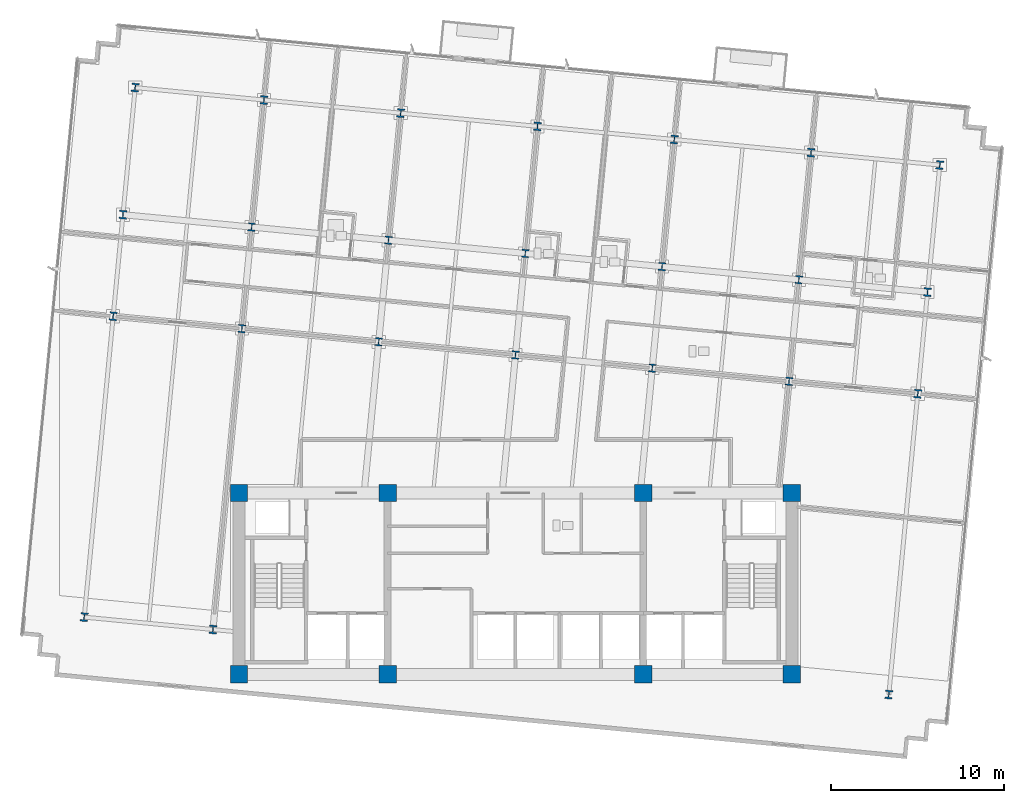
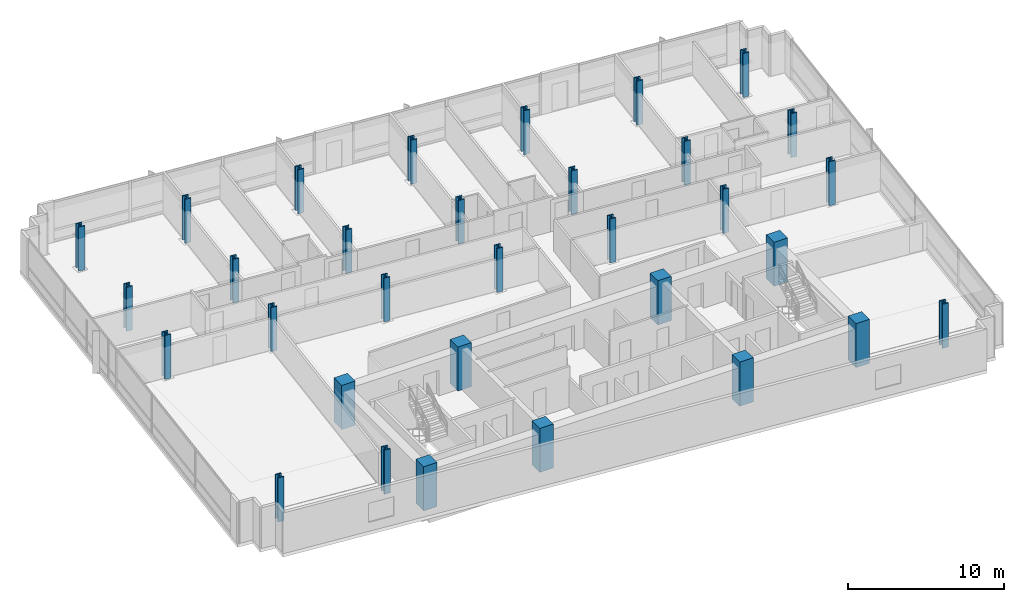
# One storey, part 1 of 17: 32 columns.
"""IFC4 building model written with IfcOpenShell, lengths in metres."""

from ifc_helpers import new_model, si_unit, direction, frame, origin, origin_2d, place, context, subcontext, project, spatial, rectangle, i_section, extrude, material, material_profile, profile_set, type_object, element, save


model = new_model("IFC4")

# Units and contexts
model_context = context("Model", 3, precision=1e-05, world=origin(), true_north=direction((0.0, 1.0)))
body_context = subcontext(model_context, "Body", "Model", "MODEL_VIEW")
ifc_project = project(units=[si_unit("LENGTHUNIT", "METRE"), si_unit("AREAUNIT", "SQUARE_METRE"), si_unit("VOLUMEUNIT", "CUBIC_METRE"), si_unit("PLANEANGLEUNIT", "RADIAN"), si_unit("MASSUNIT", "GRAM", prefix="KILO")], contexts=[model_context])

# Site, building, storey
site_placement = place(None, origin())
site = spatial("IfcSite", under=ifc_project, at=site_placement, CompositionType="ELEMENT")
building_placement = place(site_placement, origin())
building = spatial("IfcBuilding", under=site, at=building_placement, Name="Solmavex Isthmus Hotel", CompositionType="ELEMENT")
storey_placement = place(building_placement, frame((0.0, 0.0, 173.85009765625)))
storey = spatial("IfcBuildingStorey", under=building, at=storey_placement, Name="L47", CompositionType="ELEMENT", Elevation=173.85009765625)

# Columns
ifc_material_1 = material(Name="Concrete C60/75", Category="concrete")
ifc_material_profile_1 = material_profile(ifc_material_1, rectangle(XDim=1.0, YDim=1.0, at=origin_2d()), Name="RC1000X1000")
ifc_profile_set_1 = profile_set([ifc_material_profile_1], Name="Concrete C60/75")
column_type_1 = type_object("IfcColumnType", Name="COL-CC-1000", PredefinedType="COLUMN", material=ifc_profile_set_1)
for number, where, z_axis, x_axis, name in (
    (1, (-16.0, -13.0, 0.0), (0.0, 0.0, 1.0), (1.0, 0.0, 0.0), "Core Pilaster CC-SW L47"),
    (2, (-7.39990234375, -13.0, 0.0), (0.0, 0.0, 1.0), (1.0, 0.0, 0.0), "Core Pilaster CC-S1 L47"),
    (3, (7.39990234375, -13.0, 0.0), (0.0, 0.0, 1.0), (1.0, 0.0, 0.0), "Core Pilaster CC-S2 L47"),
    (4, (16.0, -13.0, 0.0), (0.0, 0.0, 1.0), (1.0, 0.0, 0.0), "Core Pilaster CC-SE L47"),
    (5, (-16.0, -2.5, 0.0), (0.0, 0.0, 1.0), (1.0, 0.0, 0.0), "Core Pilaster CC-NW L47"),
    (6, (-7.39990234375, -2.5, 0.0), (0.0, 0.0, 1.0), (1.0, 0.0, 0.0), "Core Pilaster CC-N1 L47"),
    (7, (7.39990234375, -2.5, 0.0), (0.0, 0.0, 1.0), (1.0, 0.0, 0.0), "Core Pilaster CC-N2 L47"),
    (8, (16.0, -2.5, 0.0), (0.0, 0.0, 1.0), (1.0, 0.0, 0.0), "Core Pilaster CC-NE L47"),
):
    element("IfcColumn", number, at=place(storey_placement, frame(where, z_axis=z_axis, x_axis=x_axis)), inside=storey, type_object=column_type_1, Name=name, PredefinedType="COLUMN", context=body_context, shape_type="SweptSolid", body=[
        extrude(rectangle(XDim=1.0, YDim=1.0, at=origin_2d()), origin(), (0.0, 0.0, 1.0), 3.449951171875),
    ])
ifc_material_2 = material(Name="Steel ASTM A913 Grade 65", Category="steel")
ifc_material_profile_2 = material_profile(ifc_material_2, i_section(OverallWidth=0.424072265625, OverallDepth=0.47412109375, WebThickness=0.047607421875, FlangeThickness=0.0771484375, FilletRadius=0.030517578125, at=origin_2d()), Name="W14X426")
ifc_profile_set_2 = profile_set([ifc_material_profile_2], Name="Steel ASTM A913 Grade 65")
column_type_2 = type_object("IfcColumnType", Name="COL-SC-W14X426", PredefinedType="COLUMN", material=ifc_profile_set_2)
for number, where, z_axis, x_axis, name in (
    (9, (-15.83740234375, 7.015380859375, 0.0), (0.0, 0.0, 1.0), (0.995396198367, -0.09584575252, 0.0), "Tower Column B3-U2V2 L47"),
    (10, (-15.271240234375, 12.896240234375, 0.0), (0.0, 0.0, 1.0), (0.995396198367, -0.09584575252, 0.0), "Tower Column B3-U2V3 L47"),
    (11, (-7.918212890625, 6.2529296875, 0.0), (0.0, 0.0, 1.0), (0.995396198367, -0.09584575252, 0.0), "Tower Column B3-U3V2 L47"),
    (12, (-7.351806640625, 12.1337890625, 0.0), (0.0, 0.0, 1.0), (0.995396198367, -0.09584575252, 0.0), "Tower Column B3-U3V3 L47"),
    (13, (0.001220703125, 5.490234375, 0.0), (0.0, 0.0, 1.0), (0.995396198367, -0.09584575252, 0.0), "Tower Column B3-U4V2 L47"),
    (14, (0.567626953125, 11.37109375, 0.0), (0.0, 0.0, 1.0), (0.995396198367, -0.09584575252, 0.0), "Tower Column B3-U4V3 L47"),
    (15, (7.920654296875, 4.727783203125, 0.0), (0.0, 0.0, 1.0), (0.995396198367, -0.09584575252, 0.0), "Tower Column B3-U5V2 L47"),
    (16, (8.48681640625, 10.608642578125, 0.0), (0.0, 0.0, 1.0), (0.995396198367, -0.09584575252, 0.0), "Tower Column B3-U5V3 L47"),
    (17, (15.840087890625, 3.96533203125, 0.0), (0.0, 0.0, 1.0), (0.995396198367, -0.09584575252, 0.0), "Tower Column B3-U6V2 L47"),
    (18, (16.40625, 9.845947265625, 0.0), (0.0, 0.0, 1.0), (0.995396198367, -0.09584575252, 0.0), "Tower Column B3-U6V3 L47"),
):
    element("IfcColumn", number, at=place(storey_placement, frame(where, z_axis=z_axis, x_axis=x_axis)), inside=storey, type_object=column_type_2, Name=name, PredefinedType="COLUMN", context=body_context, shape_type="SweptSolid", body=[
        extrude(i_section(OverallWidth=0.424072265625, OverallDepth=0.47412109375, WebThickness=0.047607421875, FlangeThickness=0.0771484375, FilletRadius=0.030517578125, at=origin_2d()), origin(), (0.0, 0.0, 1.0), 3.449951171875),
    ])
ifc_material_profile_3 = material_profile(ifc_material_2, i_section(OverallWidth=0.43212890625, OverallDepth=0.497802734375, WebThickness=0.0556640625, FlangeThickness=0.0888671875, FilletRadius=0.030517578125, at=origin_2d()), Name="W14X500")
ifc_profile_set_3 = profile_set([ifc_material_profile_3], Name="Steel ASTM A913 Grade 65")
column_type_3 = type_object("IfcColumnType", Name="COL-SC-W14X500", PredefinedType="COLUMN", material=ifc_profile_set_3)
for number, where, z_axis, x_axis, name in (
    (19, (-24.96826171875, -9.686279296875, 0.0), (0.0, 0.0, 1.0), (0.995396198367, -0.09584575252, 0.0), "Tower Column B3-U1V1 L47"),
    (20, (-23.291015625, 7.733154296875, 0.0), (0.0, 0.0, 1.0), (0.995396198367, -0.09584575252, 0.0), "Tower Column B3-U1V2 L47"),
    (21, (-22.724853515625, 13.614013671875, 0.0), (0.0, 0.0, 1.0), (0.995396198367, -0.09584575252, 0.0), "Tower Column B3-U1V3 L47"),
    (22, (-22.016357421875, 20.971923828125, 0.0), (0.0, 0.0, 1.0), (0.995396198367, -0.09584575252, 0.0), "Tower Column B3-U1V4 L47"),
    (23, (-17.5146484375, -10.404052734375, 0.0), (0.0, 0.0, 1.0), (0.995396198367, -0.09584575252, 0.0), "Tower Column B3-U2V1 L47"),
    (24, (-14.562744140625, 20.254150390625, 0.0), (0.0, 0.0, 1.0), (0.995396198367, -0.09584575252, 0.0), "Tower Column B3-U2V4 L47"),
    (25, (-6.643310546875, 19.49169921875, 0.0), (0.0, 0.0, 1.0), (0.995396198367, -0.09584575252, 0.0), "Tower Column B3-U3V4 L47"),
    (26, (1.276123046875, 18.72900390625, 0.0), (0.0, 0.0, 1.0), (0.995396198367, -0.09584575252, 0.0), "Tower Column B3-U4V4 L47"),
    (27, (9.1953125, 17.966552734375, 0.0), (0.0, 0.0, 1.0), (0.995396198367, -0.09584575252, 0.0), "Tower Column B3-U5V4 L47"),
    (28, (17.11474609375, 17.2041015625, 0.0), (0.0, 0.0, 1.0), (0.995396198367, -0.09584575252, 0.0), "Tower Column B3-U6V4 L47"),
    (29, (21.6162109375, -14.171875, 0.0), (0.0, 0.0, 1.0), (0.995396198367, -0.09584575252, 0.0), "Tower Column B3-U7V1 L47"),
    (30, (23.29345703125, 3.24755859375, 0.0), (0.0, 0.0, 1.0), (0.995396198367, -0.09584575252, 0.0), "Tower Column B3-U7V2 L47"),
    (31, (23.85986328125, 9.12841796875, 0.0), (0.0, 0.0, 1.0), (0.995396198367, -0.09584575252, 0.0), "Tower Column B3-U7V3 L47"),
    (32, (24.568359375, 16.486328125, 0.0), (0.0, 0.0, 1.0), (0.995396198367, -0.09584575252, 0.0), "Tower Column B3-U7V4 L47"),
):
    element("IfcColumn", number, at=place(storey_placement, frame(where, z_axis=z_axis, x_axis=x_axis)), inside=storey, type_object=column_type_3, Name=name, PredefinedType="COLUMN", context=body_context, shape_type="SweptSolid", body=[
        extrude(i_section(OverallWidth=0.43212890625, OverallDepth=0.497802734375, WebThickness=0.0556640625, FlangeThickness=0.0888671875, FilletRadius=0.030517578125, at=origin_2d()), origin(), (0.0, 0.0, 1.0), 3.449951171875),
    ])

save(model, "model.ifc")
